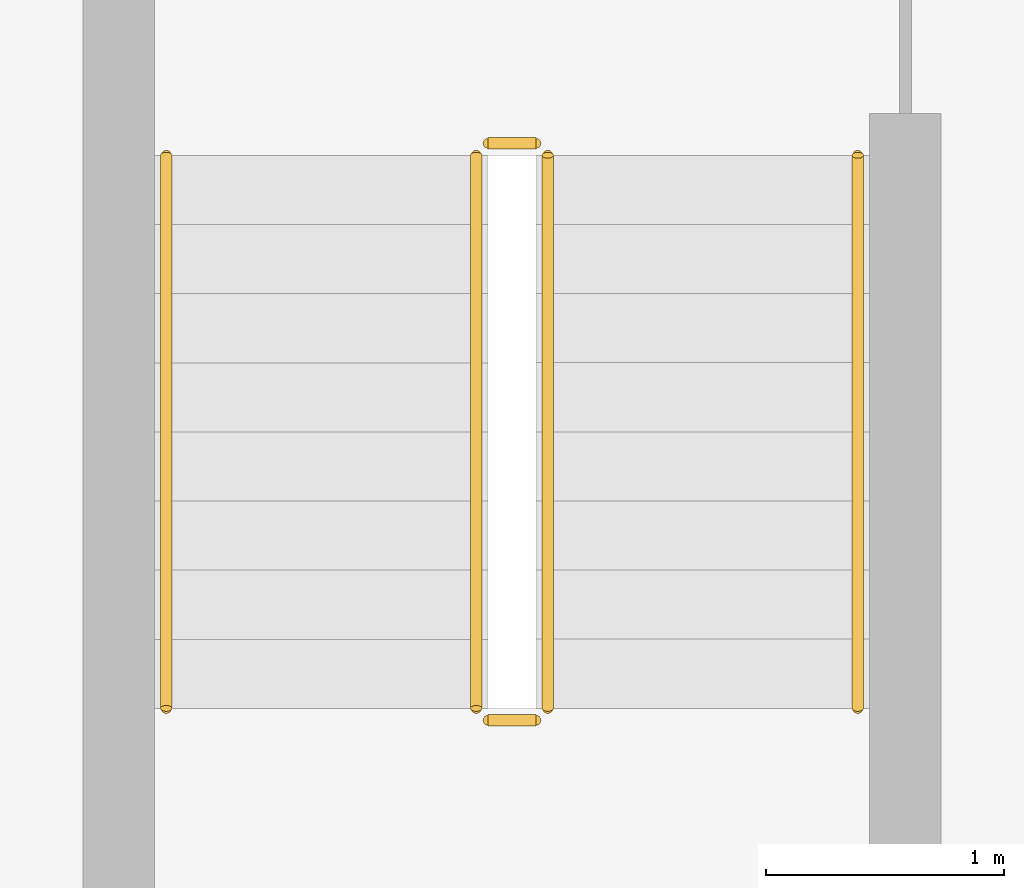
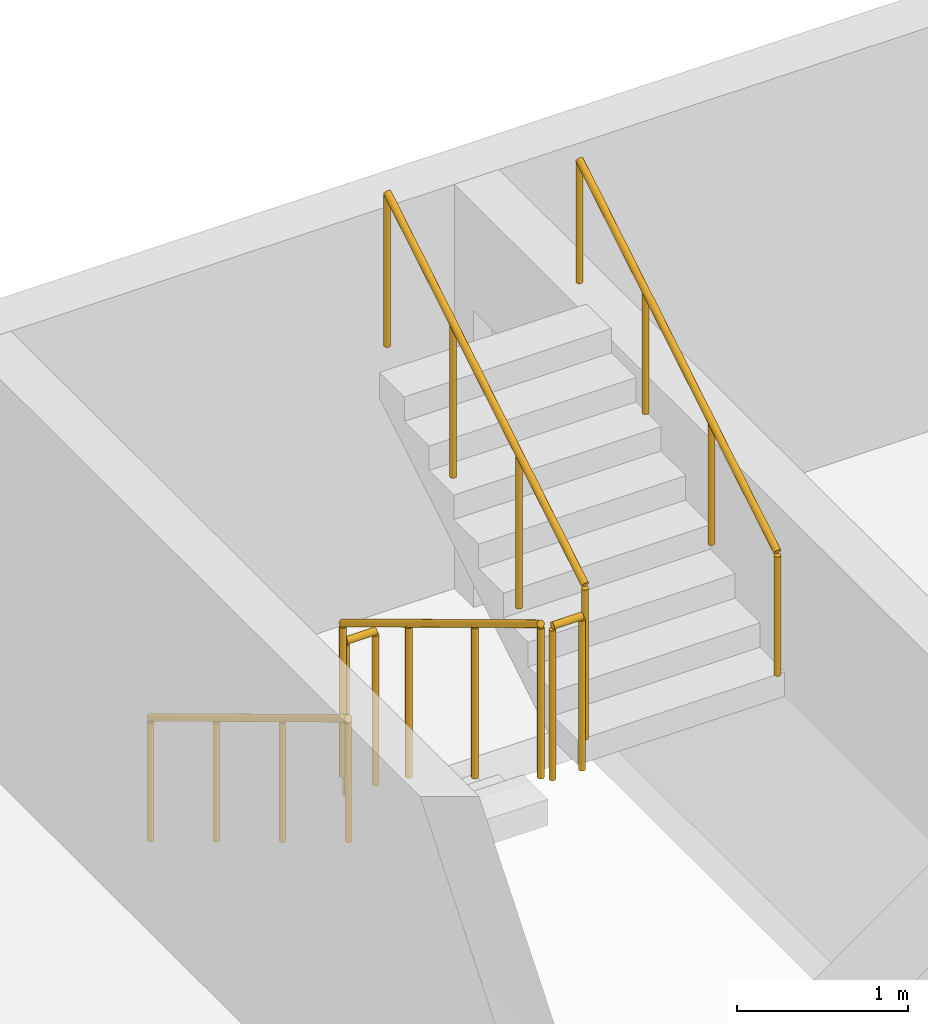
# One storey, part 14 of 16: 6 railings.
"""IFC4 building model written with IfcOpenShell, lengths in metres."""

from ifc_helpers import new_model, si_unit, derived_unit, direction, frame, origin, origin_2d, place, context, subcontext, project, spatial, circle, extrude, material, type_object, element, save


model = new_model("IFC4")

# Units and contexts
model_context = context("Model", 3, precision=1e-05, world=origin(), true_north=direction((0.0, 1.0)))
body_context = subcontext(model_context, "Body", "Model", "MODEL_VIEW")
ifc_project = project(units=[si_unit("LENGTHUNIT", "METRE"), si_unit("AREAUNIT", "SQUARE_METRE"), si_unit("VOLUMEUNIT", "CUBIC_METRE"), si_unit("PLANEANGLEUNIT", "RADIAN"), si_unit("MASSUNIT", "GRAM", prefix="KILO"), derived_unit("THERMALTRANSMITTANCEUNIT", [(si_unit("MASSUNIT", "GRAM", prefix="KILO"), 1), (si_unit("TIMEUNIT", "SECOND"), -3), (si_unit("THERMODYNAMICTEMPERATUREUNIT", "KELVIN"), -1)])], contexts=[model_context])

# Site, building, storey
site_placement = place(None, origin())
site = spatial("IfcSite", under=ifc_project, at=site_placement, CompositionType="ELEMENT")
building_placement = place(site_placement, origin())
building = spatial("IfcBuilding", under=site, at=building_placement, Name="Ochrekiln Boulevard Commons", CompositionType="ELEMENT")
storey_placement = place(building_placement, frame((0.0, 0.0, 40.425048828125)))
storey = spatial("IfcBuildingStorey", under=building, at=storey_placement, Name="L12", CompositionType="ELEMENT", Elevation=40.425048828125)

# Railings
ifc_material = material(Name="Brushed stainless steel 316 tubular railing", Category="steel")
railing_type_1 = type_object("IfcRailingType", Name="RLG-HDR-900", PredefinedType="HANDRAIL", material=ifc_material)
railing_1_placement = place(storey_placement, frame((6.449951171875, 116.929931640625, 0.175048828125)))
element("IfcRailing", 1, at=railing_1_placement, inside=storey, type_object=railing_type_1, Name="L12 ST-A2 stair handrail 1", PredefinedType="HANDRAIL", context=body_context, shape_type="SweptSolid", body=[
    extrude(circle(Radius=0.02392578125, at=origin_2d()), frame((0.0, 0.0, 0.8759765625), z_axis=(0.0, -0.856186286599, 0.516667245565), x_axis=(1.0, 0.0, 0.0)), (0.0, 0.0, 1.0), 2.70947265625),
    extrude(circle(Radius=0.02099609375, at=origin_2d()), origin(), (0.0, 0.0, 1.0), 0.851806640625),
    extrude(circle(Radius=0.02099609375, at=origin_2d()), frame((0.0, -0.773193359375, 0.466552734375)), (0.0, 0.0, 1.0), 0.851806640625),
    extrude(circle(Radius=0.02099609375, at=origin_2d()), frame((0.0, -1.546630859375, 0.933349609375)), (0.0, 0.0, 1.0), 0.851806640625),
    extrude(circle(Radius=0.02099609375, at=origin_2d()), frame((0.0, -2.31982421875, 1.39990234375)), (0.0, 0.0, 1.0), 0.851806640625),
])
railing_2_placement = place(storey_placement, frame((9.35009765625, 114.610107421875, 1.75)))
element("IfcRailing", 2, at=railing_2_placement, inside=storey, type_object=railing_type_1, Name="L12 ST-A2 stair handrail 2", PredefinedType="HANDRAIL", context=body_context, shape_type="SweptSolid", body=[
    extrude(circle(Radius=0.02392578125, at=origin_2d()), frame((0.0, 0.0, 0.8759765625), z_axis=(0.0, 0.856186286599, 0.516667245565), x_axis=(-1.0, 0.0, 0.0)), (0.0, 0.0, 1.0), 2.70947265625),
    extrude(circle(Radius=0.02099609375, at=origin_2d()), origin(), (0.0, 0.0, 1.0), 0.851806640625),
    extrude(circle(Radius=0.02099609375, at=origin_2d()), frame((0.0, 0.773193359375, 0.466552734375)), (0.0, 0.0, 1.0), 0.851806640625),
    extrude(circle(Radius=0.02099609375, at=origin_2d()), frame((0.0, 1.546630859375, 0.933349609375)), (0.0, 0.0, 1.0), 0.851806640625),
    extrude(circle(Radius=0.02099609375, at=origin_2d()), frame((0.0, 2.31982421875, 1.39990234375)), (0.0, 0.0, 1.0), 0.851806640625),
])
railing_type_2 = type_object("IfcRailingType", Name="RLG-STR-1120", PredefinedType="BALUSTRADE", material=ifc_material)
railing_3_placement = place(storey_placement, frame((7.75, 116.929931640625, 0.175048828125)))
element("IfcRailing", 3, at=railing_3_placement, inside=storey, type_object=railing_type_2, Name="L12 ST-A2 stair guard 1", PredefinedType="BALUSTRADE", context=body_context, shape_type="SweptSolid", body=[
    extrude(circle(Radius=0.02392578125, at=origin_2d()), frame((0.0, 0.0, 1.09619140625), z_axis=(0.0, -0.856186286599, 0.516667245565), x_axis=(1.0, 0.0, 0.0)), (0.0, 0.0, 1.0), 2.70947265625),
    extrude(circle(Radius=0.02099609375, at=origin_2d()), origin(), (0.0, 0.0, 1.0), 1.072021484375),
    extrude(circle(Radius=0.02099609375, at=origin_2d()), frame((0.0, -0.773193359375, 0.466552734375)), (0.0, 0.0, 1.0), 1.072021484375),
    extrude(circle(Radius=0.02099609375, at=origin_2d()), frame((0.0, -1.546630859375, 0.933349609375)), (0.0, 0.0, 1.0), 1.072021484375),
    extrude(circle(Radius=0.02099609375, at=origin_2d()), frame((0.0, -2.31982421875, 1.39990234375)), (0.0, 0.0, 1.0), 1.072021484375),
])
railing_4_placement = place(storey_placement, frame((7.800048828125, 114.56005859375, 1.574951171875)))
element("IfcRailing", 4, at=railing_4_placement, inside=storey, type_object=railing_type_2, Name="L12 ST-A2 stair guard 2", PredefinedType="BALUSTRADE", context=body_context, shape_type="SweptSolid", body=[
    extrude(circle(Radius=0.02392578125, at=origin_2d()), frame((0.0, 0.0, 1.09619140625), z_axis=(1.0, 0.0, 0.0), x_axis=(0.0, 1.0, 0.0)), (0.0, 0.0, 1.0), 0.199951171875),
    extrude(circle(Radius=0.02099609375, at=origin_2d()), origin(), (0.0, 0.0, 1.0), 1.072021484375),
    extrude(circle(Radius=0.02099609375, at=origin_2d()), frame((0.199951171875, 0.0, 0.0)), (0.0, 0.0, 1.0), 1.072021484375),
])
railing_5_placement = place(storey_placement, frame((8.050048828125, 114.610107421875, 1.75)))
element("IfcRailing", 5, at=railing_5_placement, inside=storey, type_object=railing_type_2, Name="L12 ST-A2 stair guard 3", PredefinedType="BALUSTRADE", context=body_context, shape_type="SweptSolid", body=[
    extrude(circle(Radius=0.02392578125, at=origin_2d()), frame((0.0, 0.0, 1.09619140625), z_axis=(0.0, 0.856186286599, 0.516667245565), x_axis=(-1.0, 0.0, 0.0)), (0.0, 0.0, 1.0), 2.70947265625),
    extrude(circle(Radius=0.02099609375, at=origin_2d()), origin(), (0.0, 0.0, 1.0), 1.072021484375),
    extrude(circle(Radius=0.02099609375, at=origin_2d()), frame((0.0, 0.773193359375, 0.466552734375)), (0.0, 0.0, 1.0), 1.072021484375),
    extrude(circle(Radius=0.02099609375, at=origin_2d()), frame((0.0, 1.546630859375, 0.933349609375)), (0.0, 0.0, 1.0), 1.072021484375),
    extrude(circle(Radius=0.02099609375, at=origin_2d()), frame((0.0, 2.31982421875, 1.39990234375)), (0.0, 0.0, 1.0), 1.072021484375),
])
railing_6_placement = place(storey_placement, frame((7.800048828125, 116.97998046875, 0.0)))
element("IfcRailing", 6, at=railing_6_placement, inside=storey, type_object=railing_type_2, Name="L12 ST-A2 stair guard 4", PredefinedType="BALUSTRADE", context=body_context, shape_type="SweptSolid", body=[
    extrude(circle(Radius=0.02392578125, at=origin_2d()), frame((0.0, 0.0, 1.09619140625), z_axis=(1.0, 0.0, 0.0), x_axis=(0.0, 1.0, 0.0)), (0.0, 0.0, 1.0), 0.199951171875),
    extrude(circle(Radius=0.02099609375, at=origin_2d()), origin(), (0.0, 0.0, 1.0), 1.072021484375),
    extrude(circle(Radius=0.02099609375, at=origin_2d()), frame((0.199951171875, 0.0, 0.0)), (0.0, 0.0, 1.0), 1.072021484375),
])

save(model, "model.ifc")
